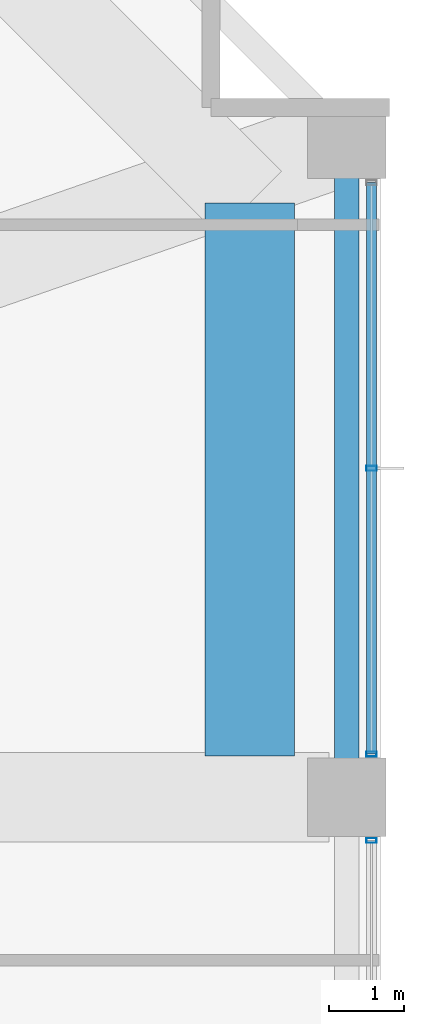
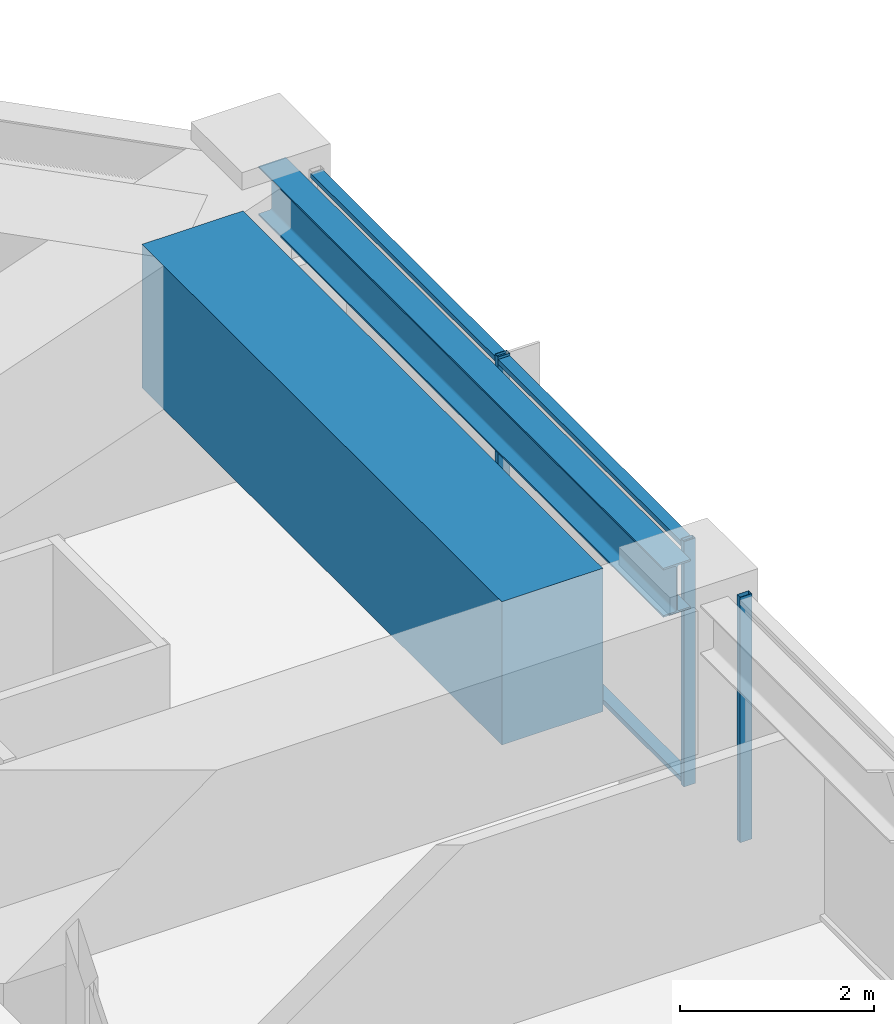
# One storey, part 16 of 34: 5 members, 2 beams, 2 elements without a shape of their own.
"""IFC4 building model written with IfcOpenShell, lengths in metres."""

from ifc_helpers import new_model, si_unit, direction, frame, origin, origin_2d, place, context, subcontext, project, spatial, rectangle, hollow_rectangle, i_section, extrude, material, material_profile, profile_set, type_object, element, aggregate, save


model = new_model("IFC4")

# Units and contexts
model_context = context("Model", 3, precision=1e-05, world=origin(), true_north=direction((0.0, 1.0)))
body_context = subcontext(model_context, "Body", "Model", "MODEL_VIEW")
ifc_project = project(units=[si_unit("LENGTHUNIT", "METRE"), si_unit("AREAUNIT", "SQUARE_METRE"), si_unit("VOLUMEUNIT", "CUBIC_METRE"), si_unit("PLANEANGLEUNIT", "RADIAN"), si_unit("MASSUNIT", "GRAM", prefix="KILO")], contexts=[model_context])

# Site, building, storey
site_placement = place(None, origin())
site = spatial("IfcSite", under=ifc_project, at=site_placement, CompositionType="ELEMENT")
building_placement = place(site_placement, origin())
building = spatial("IfcBuilding", under=site, at=building_placement, Name="Kolvaren Belvedere", CompositionType="ELEMENT")
storey_placement = place(building_placement, frame((0.0, 0.0, 105.199951171875)))
storey = spatial("IfcBuildingStorey", under=building, at=storey_placement, Name="L30", CompositionType="ELEMENT", Elevation=105.199951171875)

# Beams
ifc_material_1 = material(Name="Structural steel ASTM A992 Grade 50", Category="steel")
ifc_material_profile_1 = material_profile(ifc_material_1, i_section(OverallWidth=0.324951171875, OverallDepth=0.615966796875, WebThickness=0.013916015625, FlangeThickness=0.021484375, FilletRadius=0.02001953125, at=origin_2d()), Name="W24X117")
ifc_profile_set_1 = profile_set([ifc_material_profile_1], Name="Structural steel ASTM A992 Grade 50")
beam_type_1 = type_object("IfcBeamType", Name="BM-SPAN-W24X117", PredefinedType="SPANDREL", material=ifc_profile_set_1)
beam_1_placement = place(storey_placement, frame((19.949951171875, 4.836181640625, 2.77197265625), z_axis=(0.0, 1.0, 0.0), x_axis=(-1.0, 0.0, 0.0)))
element("IfcBeam", 1, at=beam_1_placement, inside=storey, type_object=beam_type_1, Name="L30 Perimeter Spandrel E3-E4", PredefinedType="SPANDREL", context=body_context, shape_type="SweptSolid", body=[
    extrude(i_section(OverallWidth=0.324951171875, OverallDepth=0.615966796875, WebThickness=0.013916015625, FlangeThickness=0.021484375, FilletRadius=0.02001953125, at=origin_2d()), origin(), (0.0, 0.0, 1.0), 8.32763671875),
])
ifc_material_2 = material(Name="Concrete C50/60", Category="concrete")
ifc_material_profile_2 = material_profile(ifc_material_2, rectangle(XDim=1.199951171875, YDim=1.800048828125, at=origin_2d()), Name="RC 1200X1800")
ifc_profile_set_2 = profile_set([ifc_material_profile_2], Name="Concrete C50/60")
beam_type_2 = type_object("IfcBeamType", Name="BM-TG-1800", PredefinedType="BEAM", material=ifc_profile_set_2)
beam_2_placement = place(storey_placement, frame((18.64990234375, 5.14990234375, 2.179931640625), z_axis=(0.0, 1.0, 0.0), x_axis=(-1.0, 0.0, 0.0)))
element("IfcBeam", 2, at=beam_2_placement, inside=storey, type_object=beam_type_2, Name="L30 Step Transfer Ring Girder E3-E4", PredefinedType="BEAM", context=body_context, shape_type="SweptSolid", body=[
    extrude(rectangle(XDim=1.199951171875, YDim=1.800048828125, at=origin_2d()), origin(), (0.0, 0.0, 1.0), 7.400146484375),
])

# Curtain wall, members
ifc_material_3 = material(Name="Anodised pale-metal aluminium AA 6063-T6", Category="aluminium")
curtain_wall_type = type_object("IfcCurtainWallType", Name="CW-Z2-MID", PredefinedType="NOTDEFINED", material=ifc_material_3)
curtain_wall_1_placement = place(storey_placement, origin())
curtain_wall_1 = element("IfcCurtainWall", 3, at=curtain_wall_1_placement, inside=storey, type_object=curtain_wall_type, Name="L30 Unitised Curtain Wall FCW-L30-E-B1", PredefinedType="NOTDEFINED")
ifc_material_4 = material(Name="Anodised pale-metal aluminium AA 6063-T6", Category="aluminium")
ifc_material_profile_3 = material_profile(ifc_material_4, hollow_rectangle(XDim=0.06494140625, YDim=0.139892578125, WallThickness=0.00390625, at=origin_2d()), Name="ALU-MUL-140X65")
ifc_profile_set_3 = profile_set([ifc_material_profile_3], Name="Anodised pale-metal aluminium AA 6063-T6")
member_type_1 = type_object("IfcMemberType", Name="CW-MUL-140", PredefinedType="MULLION", material=ifc_profile_set_3)
member_1_placement = place(storey_placement, frame((20.280029296875, 9.0, 0.0), z_axis=(0.0, 0.0, 1.0), x_axis=(0.0, 1.0, 0.0)))
member_1 = element("IfcMember", 4, at=member_1_placement, type_object=member_type_1, Name="FCW-L30-E-B1 Unitised Mullion 2", PredefinedType="MULLION", context=body_context, shape_type="SweptSolid", body=[
    extrude(hollow_rectangle(XDim=0.06494140625, YDim=0.139892578125, WallThickness=0.00390625, at=origin_2d()), origin(), (0.0, 0.0, 1.0), 3.080078125),
])
member_2_placement = place(storey_placement, frame((20.280029296875, 5.177490234375, 0.0), z_axis=(0.0, 0.0, 1.0), x_axis=(0.0, 1.0, 0.0)))
member_2 = element("IfcMember", 5, at=member_2_placement, type_object=member_type_1, Name="FCW-L30-E-B1 Unitised Mullion 3", PredefinedType="MULLION", context=body_context, shape_type="SweptSolid", body=[
    extrude(hollow_rectangle(XDim=0.06494140625, YDim=0.139892578125, WallThickness=0.00390625, at=origin_2d()), origin(), (0.0, 0.0, 1.0), 3.080078125),
])

# Curtain wall, member
curtain_wall_2_placement = place(storey_placement, origin())
curtain_wall_2 = element("IfcCurtainWall", 6, at=curtain_wall_2_placement, inside=storey, type_object=curtain_wall_type, Name="L30 Unitised Curtain Wall FCW-L30-E-B2", PredefinedType="NOTDEFINED")
member_3_placement = place(storey_placement, frame((20.280029296875, 4.0224609375, 0.0), z_axis=(0.0, 0.0, 1.0), x_axis=(0.0, 1.0, 0.0)))
member_3 = element("IfcMember", 7, at=member_3_placement, type_object=member_type_1, Name="FCW-L30-E-B2 Unitised Mullion 1", PredefinedType="MULLION", context=body_context, shape_type="SweptSolid", body=[
    extrude(hollow_rectangle(XDim=0.06494140625, YDim=0.139892578125, WallThickness=0.00390625, at=origin_2d()), origin(), (0.0, 0.0, 1.0), 3.080078125),
])
aggregate(curtain_wall_2, [member_3])

# Member
ifc_material_5 = material(Name="Anodised pale-metal aluminium AA 6063-T6", Category="aluminium")
ifc_material_profile_4 = material_profile(ifc_material_5, hollow_rectangle(XDim=0.06005859375, YDim=0.139892578125, WallThickness=0.00390625, at=origin_2d()), Name="ALU-TRN-140X60")
ifc_profile_set_4 = profile_set([ifc_material_profile_4], Name="Anodised pale-metal aluminium AA 6063-T6")
member_type_2 = type_object("IfcMemberType", Name="CW-TRN-140", PredefinedType="USERDEFINED", material=ifc_profile_set_4)
member_4_placement = place(storey_placement, frame((20.280029296875, 12.822509765625, 0.06005859375), z_axis=(0.0, -1.0, 0.0), x_axis=(0.0, 0.0, 1.0)))
member_4 = element("IfcMember", 8, at=member_4_placement, type_object=member_type_2, Name="FCW-L30-E-B1 Sill Transom", ObjectType="TRANSOM", PredefinedType="USERDEFINED", context=body_context, shape_type="SweptSolid", body=[
    extrude(hollow_rectangle(XDim=0.06005859375, YDim=0.139892578125, WallThickness=0.00390625, at=origin_2d()), origin(), (0.0, 0.0, 1.0), 7.64501953125),
])

member_5_placement = place(storey_placement, frame((20.280029296875, 12.822509765625, 3.02001953125), z_axis=(0.0, -1.0, 0.0), x_axis=(0.0, 0.0, 1.0)))
member_5 = element("IfcMember", 9, at=member_5_placement, type_object=member_type_2, Name="FCW-L30-E-B1 Head Transom", ObjectType="TRANSOM", PredefinedType="USERDEFINED", context=body_context, shape_type="SweptSolid", body=[
    extrude(hollow_rectangle(XDim=0.06005859375, YDim=0.139892578125, WallThickness=0.00390625, at=origin_2d()), origin(), (0.0, 0.0, 1.0), 7.64501953125),
])

aggregate(curtain_wall_1, [member_1, member_2, member_4, member_5])

save(model, "model.ifc")
